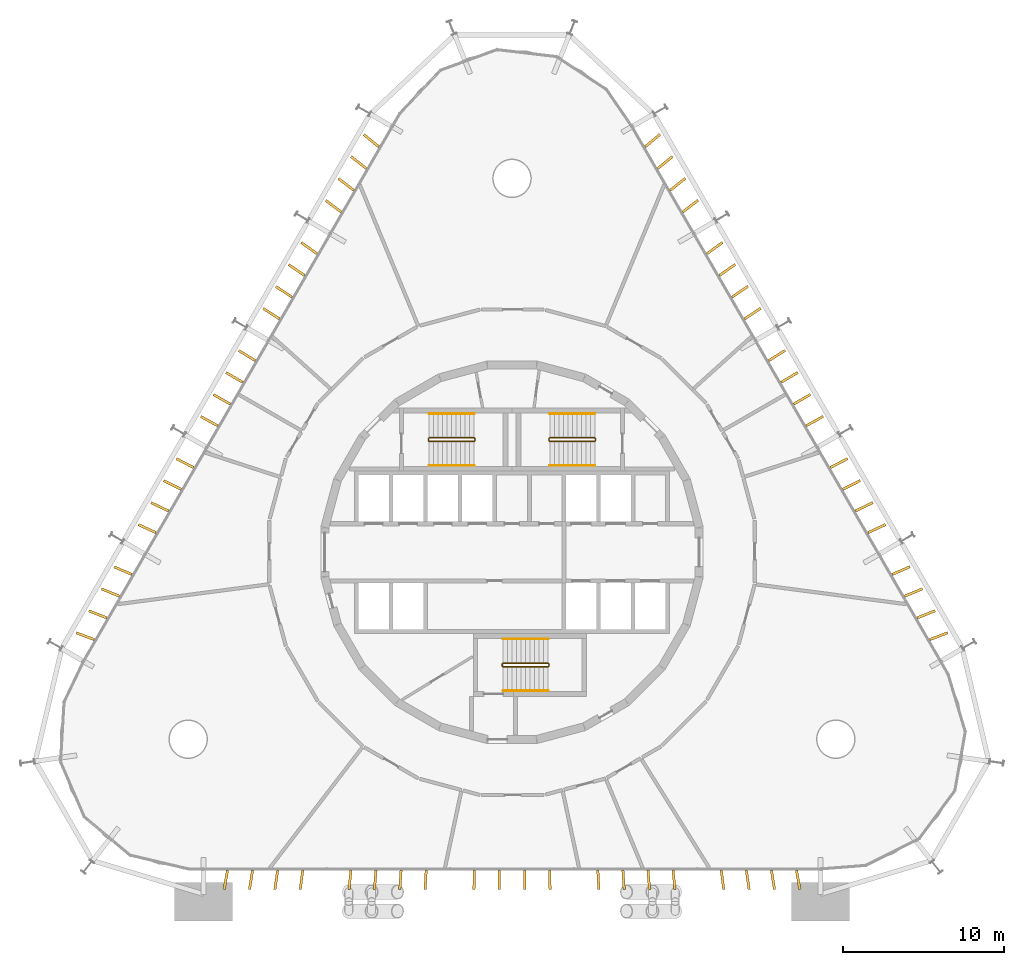
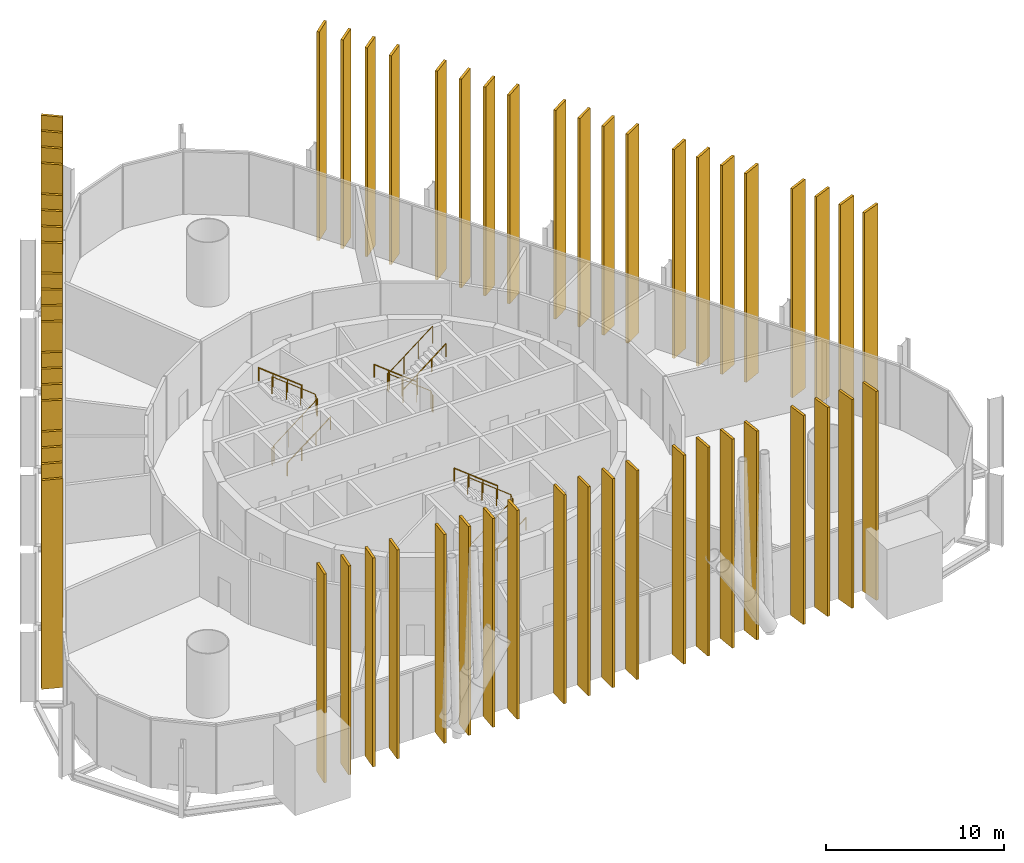
# One storey, part 17 of 17: 60 shading devices, 9 railings.
"""IFC4 building model written with IfcOpenShell, lengths in metres."""

from ifc_helpers import new_model, si_unit, direction, frame, origin, origin_2d, place, context, subcontext, project, spatial, rectangle, circle, extrude, material, layer, layer_set, type_object, element, save


model = new_model("IFC4")

# Units and contexts
model_context = context("Model", 3, precision=1e-05, world=origin(), true_north=direction((0.0, 1.0)))
body_context = subcontext(model_context, "Body", "Model", "MODEL_VIEW")
ifc_project = project(units=[si_unit("LENGTHUNIT", "METRE"), si_unit("AREAUNIT", "SQUARE_METRE"), si_unit("VOLUMEUNIT", "CUBIC_METRE"), si_unit("PLANEANGLEUNIT", "RADIAN"), si_unit("MASSUNIT", "GRAM", prefix="KILO")], contexts=[model_context])

# Site, building, storey
site_placement = place(None, origin())
site = spatial("IfcSite", under=ifc_project, at=site_placement, CompositionType="ELEMENT")
building_placement = place(site_placement, origin())
building = spatial("IfcBuilding", under=site, at=building_placement, Name="Spindle Arch Residences", CompositionType="ELEMENT")
storey_placement = place(building_placement, frame((0.0, 0.0, 18.60009765625)))
storey = spatial("IfcBuildingStorey", under=building, at=storey_placement, Name="L03", CompositionType="ELEMENT", Elevation=18.60009765625)

# Shading devices
ifc_material_1 = material(Name="Bronze anodised aluminium fin", Category="aluminium")
ifc_layer = layer(ifc_material_1, 0.159912109375)
ifc_layer_set = layer_set([ifc_layer], Name="Bronze brise-soleil fin 1200x160")
shading_device_type = type_object("IfcShadingDeviceType", Name="Bronze brise-soleil fin 1200x160", PredefinedType="USERDEFINED", material=ifc_layer_set)
for number, where, z_axis, x_axis, name in (
    (1, (5.371337890625, -20.38916015625, -0.380126953125), (0.0, 0.0, 1.0), (0.052314223859, -0.998630673463, 0.0), "Brise-soleil fin L03 1"),
    (2, (6.940673828125, -20.388427734375, -0.380126953125), (0.0, 0.0, 1.0), (0.067576496162, -0.997714095904, 0.0), "Brise-soleil fin L03 2"),
    (3, (8.509765625, -20.387939453125, -0.380126953125), (0.0, 0.0, 1.0), (0.082822970613, -0.996564275669, 0.0), "Brise-soleil fin L03 3"),
    (4, (10.078857421875, -20.386962890625, -0.380126953125), (0.0, 0.0, 1.0), (0.098050082969, -0.995181481555, 0.0), "Brise-soleil fin L03 4"),
    (5, (13.096435546875, -20.385009765625, -0.380126953125), (0.0, 0.0, 1.0), (0.127265042043, -0.99186874589, 0.0), "Brise-soleil fin L03 5"),
    (6, (14.66552734375, -20.3837890625, -0.380126953125), (0.0, 0.0, 1.0), (0.142415168158, -0.989807011431, 0.0), "Brise-soleil fin L03 6"),
    (7, (16.234619140625, -20.38232421875, -0.380126953125), (0.0, 0.0, 1.0), (0.157532000855, -0.987513882792, 0.0), "Brise-soleil fin L03 7"),
    (8, (17.8037109375, -20.380859375, -0.380126953125), (0.0, 0.0, 1.0), (0.1726120062, -0.984989896048, 0.0), "Brise-soleil fin L03 8"),
    (9, (26.549072265625, -5.2197265625, -0.380126953125), (0.0, 0.0, 1.0), (0.93416472233, 0.356842082096, 0.0), "Brise-soleil fin L03 9"),
    (10, (25.765869140625, -3.8603515625, -0.380126953125), (0.0, 0.0, 1.0), (0.928792020698, 0.370601379232, 0.0), "Brise-soleil fin L03 10"),
    (11, (24.982666015625, -2.501220703125, -0.380126953125), (0.0, 0.0, 1.0), (0.923216671339, 0.38427981701, 0.0), "Brise-soleil fin L03 11"),
    (12, (24.198974609375, -1.14208984375, -0.380126953125), (0.0, 0.0, 1.0), (0.917439890708, 0.397874411011, 0.0), "Brise-soleil fin L03 12"),
    (13, (22.692138671875, 1.471435546875, -0.380126953125), (0.0, 0.0, 1.0), (0.905769399533, 0.423770922634, 0.0), "Brise-soleil fin L03 13"),
    (14, (21.908203125, 2.83056640625, -0.380126953125), (0.0, 0.0, 1.0), (0.899411212724, 0.437103500817, 0.0), "Brise-soleil fin L03 14"),
    (15, (21.124267578125, 4.189453125, -0.380126953125), (0.0, 0.0, 1.0), (0.892856788616, 0.450340709932, 0.0), "Brise-soleil fin L03 15"),
    (16, (20.34033203125, 5.54833984375, -0.380126953125), (0.0, 0.0, 1.0), (0.88610755729, 0.463479661812, 0.0), "Brise-soleil fin L03 16"),
    (17, (18.83203125, 8.16162109375, -0.380126953125), (0.0, 0.0, 1.0), (0.872586393404, 0.488459810063, 0.0), "Brise-soleil fin L03 17"),
    (18, (18.0478515625, 9.520263671875, -0.380126953125), (0.0, 0.0, 1.0), (0.865276329293, 0.501295196431, 0.0), "Brise-soleil fin L03 18"),
    (19, (17.26318359375, 10.87890625, -0.380126953125), (0.0, 0.0, 1.0), (0.857777475585, 0.514021208102, 0.0), "Brise-soleil fin L03 19"),
    (20, (16.478515625, 12.237548828125, -0.380126953125), (0.0, 0.0, 1.0), (0.850091468393, 0.526635068493, 0.0), "Brise-soleil fin L03 20"),
    (21, (14.969482421875, 14.849853515625, -0.380126953125), (0.0, 0.0, 1.0), (0.834791101484, 0.550566814186, 0.0), "Brise-soleil fin L03 21"),
    (22, (14.1845703125, 16.208251953125, -0.380126953125), (0.0, 0.0, 1.0), (0.826567799356, 0.562837163901, 0.0), "Brise-soleil fin L03 22"),
    (23, (13.3994140625, 17.566650390625, -0.380126953125), (0.0, 0.0, 1.0), (0.8181641532, 0.574984711464, 0.0), "Brise-soleil fin L03 23"),
    (24, (12.6142578125, 18.9248046875, -0.380126953125), (0.0, 0.0, 1.0), (0.80958199657, 0.58700680646, 0.0), "Brise-soleil fin L03 24"),
    (25, (11.10400390625, 21.53662109375, -0.380126953125), (0.0, 0.0, 1.0), (0.792583300768, 0.609763652035, 0.0), "Brise-soleil fin L03 25"),
    (26, (10.318603515625, 22.89453125, -0.380126953125), (0.0, 0.0, 1.0), (0.783490227049, 0.621404106938, 0.0), "Brise-soleil fin L03 26"),
    (27, (9.532958984375, 24.25244140625, -0.380126953125), (0.0, 0.0, 1.0), (0.774226208146, 0.632908981308, 0.0), "Brise-soleil fin L03 27"),
    (28, (8.747314453125, 25.6103515625, -0.380126953125), (0.0, 0.0, 1.0), (0.764793265332, 0.644275764951, 0.0), "Brise-soleil fin L03 28"),
    (29, (-8.7529296875, 25.603759765625, -0.380126953125), (0.0, 0.0, 1.0), (-0.773979243078, 0.633210969018, 0.0), "Brise-soleil fin L03 29"),
    (30, (-9.538330078125, 24.24609375, -0.380126953125), (0.0, 0.0, 1.0), (-0.78294632463, 0.622089264293, 0.0), "Brise-soleil fin L03 30"),
    (31, (-10.323486328125, 22.88818359375, -0.380126953125), (0.0, 0.0, 1.0), (-0.791753606157, 0.61084059061, 0.0), "Brise-soleil fin L03 31"),
    (32, (-11.108642578125, 21.5302734375, -0.380126953125), (0.0, 0.0, 1.0), (-0.800399290077, 0.599467243846, 0.0), "Brise-soleil fin L03 32"),
    (33, (-12.618408203125, 18.9189453125, -0.380126953125), (0.0, 0.0, 1.0), (-0.816564708799, 0.577253909769, 0.0), "Brise-soleil fin L03 33"),
    (34, (-13.4033203125, 17.56103515625, -0.380126953125), (0.0, 0.0, 1.0), (-0.82472804065, 0.565529538544, 0.0), "Brise-soleil fin L03 34"),
    (35, (-14.188232421875, 16.202880859375, -0.380126953125), (0.0, 0.0, 1.0), (-0.832723044792, 0.553689742249, 0.0), "Brise-soleil fin L03 35"),
    (36, (-14.972900390625, 14.844482421875, -0.380126953125), (0.0, 0.0, 1.0), (-0.840548089439, 0.541736937397, 0.0), "Brise-soleil fin L03 36"),
    (37, (-16.481689453125, 12.232666015625, -0.380126953125), (0.0, 0.0, 1.0), (-0.85511249527, 0.518442494818, 0.0), "Brise-soleil fin L03 37"),
    (38, (-17.26611328125, 10.874267578125, -0.380126953125), (0.0, 0.0, 1.0), (-0.862431712076, 0.506173430758, 0.0), "Brise-soleil fin L03 38"),
    (39, (-18.05029296875, 9.515625, -0.380126953125), (0.0, 0.0, 1.0), (-0.869574905821, 0.493801056262, 0.0), "Brise-soleil fin L03 39"),
    (40, (-18.83447265625, 8.1572265625, -0.380126953125), (0.0, 0.0, 1.0), (-0.876540618574, 0.481327896543, 0.0), "Brise-soleil fin L03 40"),
    (41, (-20.34228515625, 5.544677734375, -0.380126953125), (0.0, 0.0, 1.0), (-0.889431994706, 0.457067529796, 0.0), "Brise-soleil fin L03 41"),
    (42, (-21.126220703125, 4.18603515625, -0.380126953125), (0.0, 0.0, 1.0), (-0.895870905022, 0.444314439936, 0.0), "Brise-soleil fin L03 42"),
    (43, (-21.909912109375, 2.8271484375, -0.380126953125), (0.0, 0.0, 1.0), (-0.902126967317, 0.431470665097, 0.0), "Brise-soleil fin L03 43"),
    (44, (-22.693603515625, 1.468505859375, -0.380126953125), (0.0, 0.0, 1.0), (-0.908198904716, 0.418538826721, 0.0), "Brise-soleil fin L03 44"),
    (45, (-24.2001953125, -1.144775390625, -0.380126953125), (0.0, 0.0, 1.0), (-0.919353506966, 0.393432496406, 0.0), "Brise-soleil fin L03 45"),
    (46, (-24.983642578125, -2.503662109375, -0.380126953125), (0.0, 0.0, 1.0), (-0.924880272236, 0.380258441101, 0.0), "Brise-soleil fin L03 46"),
    (47, (-25.766845703125, -3.862548828125, -0.380126953125), (0.0, 0.0, 1.0), (-0.930218268634, 0.367006774733, 0.0), "Brise-soleil fin L03 47"),
    (48, (-26.5498046875, -5.2216796875, -0.380126953125), (0.0, 0.0, 1.0), (-0.935366406682, 0.353680201949, 0.0), "Brise-soleil fin L03 48"),
    (49, (-17.8037109375, -20.380859375, -0.380126953125), (0.0, 0.0, 1.0), (-0.172612006286, -0.984989896032, 0.0), "Brise-soleil fin L03 49"),
    (50, (-16.234619140625, -20.38232421875, -0.380126953125), (0.0, 0.0, 1.0), (-0.157532000958, -0.987513882775, 0.0), "Brise-soleil fin L03 50"),
    (51, (-14.66552734375, -20.3837890625, -0.380126953125), (0.0, 0.0, 1.0), (-0.142415168244, -0.989807011419, 0.0), "Brise-soleil fin L03 51"),
    (52, (-13.096435546875, -20.385009765625, -0.380126953125), (0.0, 0.0, 1.0), (-0.127265042147, -0.991868745877, 0.0), "Brise-soleil fin L03 52"),
    (53, (-10.078857421875, -20.386962890625, -0.380126953125), (0.0, 0.0, 1.0), (-0.098050083056, -0.995181481546, 0.0), "Brise-soleil fin L03 53"),
    (54, (-8.509765625, -20.387939453125, -0.380126953125), (0.0, 0.0, 1.0), (-0.082822970717, -0.99656427566, 0.0), "Brise-soleil fin L03 54"),
    (55, (-6.940673828125, -20.388427734375, -0.380126953125), (0.0, 0.0, 1.0), (-0.067576496266, -0.997714095897, 0.0), "Brise-soleil fin L03 55"),
    (56, (-5.371337890625, -20.38916015625, -0.380126953125), (0.0, 0.0, 1.0), (-0.052314223963, -0.998630673458, 0.0), "Brise-soleil fin L03 56"),
    (57, (-2.353759765625, -20.3896484375, -0.380126953125), (0.0, 0.0, 1.0), (-0.022932868023, -0.9997370072, 0.0), "Brise-soleil fin L03 57"),
    (58, (-0.78466796875, -20.389892578125, -0.380126953125), (0.0, 0.0, 1.0), (-0.007644885103, -0.999970777439, 0.0), "Brise-soleil fin L03 58"),
    (59, (0.78466796875, -20.389892578125, -0.380126953125), (0.0, 0.0, 1.0), (0.007644884998, -0.99997077744, 0.0), "Brise-soleil fin L03 59"),
    (60, (2.353759765625, -20.3896484375, -0.380126953125), (0.0, 0.0, 1.0), (0.022932867918, -0.999737007202, 0.0), "Brise-soleil fin L03 60"),
):
    element("IfcShadingDevice", number, at=place(storey_placement, frame(where, z_axis=z_axis, x_axis=x_axis)), inside=storey, type_object=shading_device_type, Name=name, ObjectType="FIN", PredefinedType="USERDEFINED", context=body_context, shape_type="SweptSolid", body=[
        extrude(rectangle(XDim=1.199951171875, YDim=0.159912109375, at=origin_2d()), origin(), (0.0, 0.0, 1.0), 14.330078125),
    ])

# Railings
ifc_material_2 = material(Name="Steel, painted", Category="steel")
railing_type_1 = type_object("IfcRailingType", Name="Stair guard 1100", PredefinedType="GUARDRAIL", material=ifc_material_2)
railing_1_placement = place(storey_placement, frame((5.14990234375, 6.89990234375, 4.7998046875)))
element("IfcRailing", 61, at=railing_1_placement, inside=storey, type_object=railing_type_1, Name="L03 ST1 stair guard 1", PredefinedType="GUARDRAIL", context=body_context, shape_type="SweptSolid", body=[
    extrude(circle(Radius=0.02392578125, at=origin_2d()), frame((0.0, 0.0, 1.17578125), z_axis=(-0.788803754942, 0.0, -0.61464513029), x_axis=(0.0, -1.0, 0.0)), (0.0, 0.0, 1.0), 3.54931640625),
    extrude(circle(Radius=0.02392578125, at=origin_2d()), frame((-2.7998046875, 0.0, -1.005859375), z_axis=(-0.218123866557, 0.218123866557, -0.951232861962), x_axis=(-0.707106781187, -0.707106781187, 0.0)), (0.0, 0.0, 1.0), 0.2294921875),
    extrude(circle(Radius=0.02392578125, at=origin_2d()), frame((-2.849853515625, 0.050048828125, -1.22412109375), z_axis=(0.0, 1.0, 0.0), x_axis=(-1.0, 0.0, 0.0)), (0.0, 0.0, 1.0), 0.1201171875),
    extrude(circle(Radius=0.02392578125, at=origin_2d()), frame((-2.849853515625, 0.170166015625, -1.22412109375), z_axis=(0.707106781187, 0.707106781187, 0.0), x_axis=(-0.707106781187, 0.707106781187, 0.0)), (0.0, 0.0, 1.0), 0.07080078125),
    extrude(circle(Radius=0.02392578125, at=origin_2d()), frame((-2.7998046875, 0.22021484375, -1.22412109375), z_axis=(0.788770406814, 0.0, -0.614687925157), x_axis=(0.0, 1.0, 0.0)), (0.0, 0.0, 1.0), 3.549560546875),
    extrude(circle(Radius=0.02392578125, at=origin_2d()), frame((0.0, 0.22021484375, -3.40576171875), z_axis=(0.218344848091, -0.218344848091, -0.951131460222), x_axis=(0.707106781187, 0.707106781187, 0.0)), (0.0, 0.0, 1.0), 0.229248046875),
    extrude(circle(Radius=0.02392578125, at=origin_2d()), frame((0.050048828125, 0.170166015625, -3.6240234375), z_axis=(0.0, -1.0, 0.0), x_axis=(1.0, 0.0, 0.0)), (0.0, 0.0, 1.0), 0.1201171875),
    extrude(circle(Radius=0.02099609375, at=origin_2d()), origin(), (0.0, 0.0, 1.0), 1.15185546875),
    extrude(circle(Radius=0.02099609375, at=origin_2d()), frame((-0.933349609375, 0.0, -0.727294921875)), (0.0, 0.0, 1.0), 1.15185546875),
    extrude(circle(Radius=0.02099609375, at=origin_2d()), frame((-1.866455078125, 0.0, -1.454345703125)), (0.0, 0.0, 1.0), 1.15185546875),
    extrude(circle(Radius=0.02099609375, at=origin_2d()), frame((-2.7998046875, 0.0, -2.181640625)), (0.0, 0.0, 1.0), 1.15185546875),
    extrude(circle(Radius=0.02099609375, at=origin_2d()), frame((-2.849853515625, 0.050048828125, -2.39990234375)), (0.0, 0.0, 1.0), 1.15185546875),
    extrude(circle(Radius=0.02099609375, at=origin_2d()), frame((-2.849853515625, 0.170166015625, -2.39990234375)), (0.0, 0.0, 1.0), 1.15185546875),
    extrude(circle(Radius=0.02099609375, at=origin_2d()), frame((-2.7998046875, 0.22021484375, -2.39990234375)), (0.0, 0.0, 1.0), 1.15185546875),
    extrude(circle(Radius=0.02099609375, at=origin_2d()), frame((-1.866455078125, 0.22021484375, -3.127197265625)), (0.0, 0.0, 1.0), 1.15185546875),
    extrude(circle(Radius=0.02099609375, at=origin_2d()), frame((-0.933349609375, 0.22021484375, -3.8544921875)), (0.0, 0.0, 1.0), 1.15185546875),
    extrude(circle(Radius=0.02099609375, at=origin_2d()), frame((0.0, 0.22021484375, -4.581787109375)), (0.0, 0.0, 1.0), 1.15185546875),
    extrude(circle(Radius=0.02099609375, at=origin_2d()), frame((0.050048828125, 0.170166015625, -4.7998046875)), (0.0, 0.0, 1.0), 1.15185546875),
    extrude(circle(Radius=0.02099609375, at=origin_2d()), frame((0.050048828125, 0.050048828125, -4.7998046875)), (0.0, 0.0, 1.0), 1.15185546875),
])
railing_2_placement = place(storey_placement, frame((-5.14990234375, 7.1201171875, 4.7998046875)))
element("IfcRailing", 62, at=railing_2_placement, inside=storey, type_object=railing_type_1, Name="L03 ST2 stair guard 1", PredefinedType="GUARDRAIL", context=body_context, shape_type="SweptSolid", body=[
    extrude(circle(Radius=0.02392578125, at=origin_2d()), frame((0.0, 0.0, 1.17578125), z_axis=(0.788803754942, 0.0, -0.61464513029), x_axis=(0.0, 1.0, 0.0)), (0.0, 0.0, 1.0), 3.54931640625),
    extrude(circle(Radius=0.02392578125, at=origin_2d()), frame((2.7998046875, 0.0, -1.005859375), z_axis=(0.218123866557, -0.218123866557, -0.951232861962), x_axis=(0.707106781187, 0.707106781187, 0.0)), (0.0, 0.0, 1.0), 0.2294921875),
    extrude(circle(Radius=0.02392578125, at=origin_2d()), frame((2.849853515625, -0.050048828125, -1.22412109375), z_axis=(0.0, -1.0, 0.0), x_axis=(1.0, 0.0, 0.0)), (0.0, 0.0, 1.0), 0.1201171875),
    extrude(circle(Radius=0.02392578125, at=origin_2d()), frame((2.849853515625, -0.170166015625, -1.22412109375), z_axis=(-0.707106781187, -0.707106781187, 0.0), x_axis=(0.707106781187, -0.707106781187, 0.0)), (0.0, 0.0, 1.0), 0.07080078125),
    extrude(circle(Radius=0.02392578125, at=origin_2d()), frame((2.7998046875, -0.22021484375, -1.22412109375), z_axis=(-0.788770406814, 0.0, -0.614687925157), x_axis=(0.0, -1.0, 0.0)), (0.0, 0.0, 1.0), 3.549560546875),
    extrude(circle(Radius=0.02392578125, at=origin_2d()), frame((0.0, -0.22021484375, -3.40576171875), z_axis=(-0.218344848091, 0.218344848091, -0.951131460222), x_axis=(-0.707106781187, -0.707106781187, 0.0)), (0.0, 0.0, 1.0), 0.229248046875),
    extrude(circle(Radius=0.02392578125, at=origin_2d()), frame((-0.050048828125, -0.170166015625, -3.6240234375), z_axis=(0.0, 1.0, 0.0), x_axis=(-1.0, 0.0, 0.0)), (0.0, 0.0, 1.0), 0.1201171875),
    extrude(circle(Radius=0.02099609375, at=origin_2d()), origin(), (0.0, 0.0, 1.0), 1.15185546875),
    extrude(circle(Radius=0.02099609375, at=origin_2d()), frame((0.933349609375, 0.0, -0.727294921875)), (0.0, 0.0, 1.0), 1.15185546875),
    extrude(circle(Radius=0.02099609375, at=origin_2d()), frame((1.866455078125, 0.0, -1.454345703125)), (0.0, 0.0, 1.0), 1.15185546875),
    extrude(circle(Radius=0.02099609375, at=origin_2d()), frame((2.7998046875, 0.0, -2.181640625)), (0.0, 0.0, 1.0), 1.15185546875),
    extrude(circle(Radius=0.02099609375, at=origin_2d()), frame((2.849853515625, -0.050048828125, -2.39990234375)), (0.0, 0.0, 1.0), 1.15185546875),
    extrude(circle(Radius=0.02099609375, at=origin_2d()), frame((2.849853515625, -0.170166015625, -2.39990234375)), (0.0, 0.0, 1.0), 1.15185546875),
    extrude(circle(Radius=0.02099609375, at=origin_2d()), frame((2.7998046875, -0.22021484375, -2.39990234375)), (0.0, 0.0, 1.0), 1.15185546875),
    extrude(circle(Radius=0.02099609375, at=origin_2d()), frame((1.866455078125, -0.22021484375, -3.127197265625)), (0.0, 0.0, 1.0), 1.15185546875),
    extrude(circle(Radius=0.02099609375, at=origin_2d()), frame((0.933349609375, -0.22021484375, -3.8544921875)), (0.0, 0.0, 1.0), 1.15185546875),
    extrude(circle(Radius=0.02099609375, at=origin_2d()), frame((0.0, -0.22021484375, -4.581787109375)), (0.0, 0.0, 1.0), 1.15185546875),
    extrude(circle(Radius=0.02099609375, at=origin_2d()), frame((-0.050048828125, -0.170166015625, -4.7998046875)), (0.0, 0.0, 1.0), 1.15185546875),
    extrude(circle(Radius=0.02099609375, at=origin_2d()), frame((-0.050048828125, -0.050048828125, -4.7998046875)), (0.0, 0.0, 1.0), 1.15185546875),
])
railing_3_placement = place(storey_placement, frame((-0.550048828125, -6.89990234375, 4.7998046875)))
element("IfcRailing", 63, at=railing_3_placement, inside=storey, type_object=railing_type_1, Name="L03 ST3 stair guard 1", PredefinedType="GUARDRAIL", context=body_context, shape_type="SweptSolid", body=[
    extrude(circle(Radius=0.02392578125, at=origin_2d()), frame((0.0, 0.0, 1.17578125), z_axis=(0.788829738274, 0.0, -0.614611783173), x_axis=(0.0, 1.0, 0.0)), (0.0, 0.0, 1.0), 3.549560546875),
    extrude(circle(Radius=0.02392578125, at=origin_2d()), frame((2.800048828125, 0.0, -1.005859375), z_axis=(0.218123866557, -0.218123866557, -0.951232861962), x_axis=(0.707106781187, 0.707106781187, 0.0)), (0.0, 0.0, 1.0), 0.2294921875),
    extrude(circle(Radius=0.02392578125, at=origin_2d()), frame((2.85009765625, -0.050048828125, -1.22412109375), z_axis=(0.0, -1.0, 0.0), x_axis=(1.0, 0.0, 0.0)), (0.0, 0.0, 1.0), 0.1201171875),
    extrude(circle(Radius=0.02392578125, at=origin_2d()), frame((2.85009765625, -0.170166015625, -1.22412109375), z_axis=(-0.707106781187, -0.707106781187, 0.0), x_axis=(0.707106781187, -0.707106781187, 0.0)), (0.0, 0.0, 1.0), 0.07080078125),
    extrude(circle(Radius=0.02392578125, at=origin_2d()), frame((2.800048828125, -0.22021484375, -1.22412109375), z_axis=(-0.788796392666, 0.0, -0.614654578538), x_axis=(0.0, -1.0, 0.0)), (0.0, 0.0, 1.0), 3.5498046875),
    extrude(circle(Radius=0.02392578125, at=origin_2d()), frame((0.0, -0.22021484375, -3.40576171875), z_axis=(-0.218344848091, 0.218344848091, -0.951131460222), x_axis=(-0.707106781187, -0.707106781187, 0.0)), (0.0, 0.0, 1.0), 0.229248046875),
    extrude(circle(Radius=0.02392578125, at=origin_2d()), frame((-0.050048828125, -0.170166015625, -3.6240234375), z_axis=(0.0, 1.0, 0.0), x_axis=(-1.0, 0.0, 0.0)), (0.0, 0.0, 1.0), 0.1201171875),
    extrude(circle(Radius=0.02099609375, at=origin_2d()), origin(), (0.0, 0.0, 1.0), 1.15185546875),
    extrude(circle(Radius=0.02099609375, at=origin_2d()), frame((0.933349609375, 0.0, -0.727294921875)), (0.0, 0.0, 1.0), 1.15185546875),
    extrude(circle(Radius=0.02099609375, at=origin_2d()), frame((1.86669921875, 0.0, -1.454345703125)), (0.0, 0.0, 1.0), 1.15185546875),
    extrude(circle(Radius=0.02099609375, at=origin_2d()), frame((2.800048828125, 0.0, -2.181640625)), (0.0, 0.0, 1.0), 1.15185546875),
    extrude(circle(Radius=0.02099609375, at=origin_2d()), frame((2.85009765625, -0.050048828125, -2.39990234375)), (0.0, 0.0, 1.0), 1.15185546875),
    extrude(circle(Radius=0.02099609375, at=origin_2d()), frame((2.85009765625, -0.170166015625, -2.39990234375)), (0.0, 0.0, 1.0), 1.15185546875),
    extrude(circle(Radius=0.02099609375, at=origin_2d()), frame((2.800048828125, -0.22021484375, -2.39990234375)), (0.0, 0.0, 1.0), 1.15185546875),
    extrude(circle(Radius=0.02099609375, at=origin_2d()), frame((1.86669921875, -0.22021484375, -3.127197265625)), (0.0, 0.0, 1.0), 1.15185546875),
    extrude(circle(Radius=0.02099609375, at=origin_2d()), frame((0.933349609375, -0.22021484375, -3.8544921875)), (0.0, 0.0, 1.0), 1.15185546875),
    extrude(circle(Radius=0.02099609375, at=origin_2d()), frame((0.0, -0.22021484375, -4.581787109375)), (0.0, 0.0, 1.0), 1.15185546875),
    extrude(circle(Radius=0.02099609375, at=origin_2d()), frame((-0.050048828125, -0.170166015625, -4.7998046875)), (0.0, 0.0, 1.0), 1.15185546875),
    extrude(circle(Radius=0.02099609375, at=origin_2d()), frame((-0.050048828125, -0.050048828125, -4.7998046875)), (0.0, 0.0, 1.0), 1.15185546875),
])
ifc_material_3 = material(Name="Steel, painted", Category="steel")
railing_type_2 = type_object("IfcRailingType", Name="Stair handrail 900", PredefinedType="HANDRAIL", material=ifc_material_3)
railing_4_placement = place(storey_placement, frame((5.14990234375, 8.6201171875, 0.218017578125)))
element("IfcRailing", 64, at=railing_4_placement, inside=storey, type_object=railing_type_2, Name="L03 ST1 stair handrail 1", PredefinedType="HANDRAIL", context=body_context, shape_type="SweptSolid", body=[
    extrude(circle(Radius=0.02392578125, at=origin_2d()), frame((0.0, 0.0, 0.8759765625), z_axis=(-0.788770406814, 0.0, 0.614687925157), x_axis=(0.0, -1.0, 0.0)), (0.0, 0.0, 1.0), 3.549560546875),
    extrude(circle(Radius=0.02099609375, at=origin_2d()), origin(), (0.0, 0.0, 1.0), 0.851806640625),
    extrude(circle(Radius=0.02099609375, at=origin_2d()), frame((-0.933349609375, 0.0, 0.727294921875)), (0.0, 0.0, 1.0), 0.851806640625),
    extrude(circle(Radius=0.02099609375, at=origin_2d()), frame((-1.866455078125, 0.0, 1.45458984375)), (0.0, 0.0, 1.0), 0.851806640625),
    extrude(circle(Radius=0.02099609375, at=origin_2d()), frame((-2.7998046875, 0.0, 2.181884765625)), (0.0, 0.0, 1.0), 0.851806640625),
])
railing_5_placement = place(storey_placement, frame((2.35009765625, 5.39990234375, 2.6181640625)))
element("IfcRailing", 65, at=railing_5_placement, inside=storey, type_object=railing_type_2, Name="L03 ST1 stair handrail 2", PredefinedType="HANDRAIL", context=body_context, shape_type="SweptSolid", body=[
    extrude(circle(Radius=0.02392578125, at=origin_2d()), frame((0.0, 0.0, 0.8759765625), z_axis=(0.788803754942, 0.0, 0.61464513029), x_axis=(0.0, 1.0, 0.0)), (0.0, 0.0, 1.0), 3.54931640625),
    extrude(circle(Radius=0.02099609375, at=origin_2d()), origin(), (0.0, 0.0, 1.0), 0.851806640625),
    extrude(circle(Radius=0.02099609375, at=origin_2d()), frame((0.933349609375, 0.0, 0.727294921875)), (0.0, 0.0, 1.0), 0.851806640625),
    extrude(circle(Radius=0.02099609375, at=origin_2d()), frame((1.866455078125, 0.0, 1.454345703125)), (0.0, 0.0, 1.0), 0.851806640625),
    extrude(circle(Radius=0.02099609375, at=origin_2d()), frame((2.7998046875, 0.0, 2.181640625)), (0.0, 0.0, 1.0), 0.851806640625),
])
railing_6_placement = place(storey_placement, frame((-5.14990234375, 5.39990234375, 0.218017578125)))
element("IfcRailing", 66, at=railing_6_placement, inside=storey, type_object=railing_type_2, Name="L03 ST2 stair handrail 1", PredefinedType="HANDRAIL", context=body_context, shape_type="SweptSolid", body=[
    extrude(circle(Radius=0.02392578125, at=origin_2d()), frame((0.0, 0.0, 0.8759765625), z_axis=(0.788770406814, 0.0, 0.614687925157), x_axis=(0.0, 1.0, 0.0)), (0.0, 0.0, 1.0), 3.549560546875),
    extrude(circle(Radius=0.02099609375, at=origin_2d()), origin(), (0.0, 0.0, 1.0), 0.851806640625),
    extrude(circle(Radius=0.02099609375, at=origin_2d()), frame((0.933349609375, 0.0, 0.727294921875)), (0.0, 0.0, 1.0), 0.851806640625),
    extrude(circle(Radius=0.02099609375, at=origin_2d()), frame((1.866455078125, 0.0, 1.45458984375)), (0.0, 0.0, 1.0), 0.851806640625),
    extrude(circle(Radius=0.02099609375, at=origin_2d()), frame((2.7998046875, 0.0, 2.181884765625)), (0.0, 0.0, 1.0), 0.851806640625),
])
railing_7_placement = place(storey_placement, frame((-2.35009765625, 8.6201171875, 2.6181640625)))
element("IfcRailing", 67, at=railing_7_placement, inside=storey, type_object=railing_type_2, Name="L03 ST2 stair handrail 2", PredefinedType="HANDRAIL", context=body_context, shape_type="SweptSolid", body=[
    extrude(circle(Radius=0.02392578125, at=origin_2d()), frame((0.0, 0.0, 0.8759765625), z_axis=(-0.788803754942, 0.0, 0.61464513029), x_axis=(0.0, -1.0, 0.0)), (0.0, 0.0, 1.0), 3.54931640625),
    extrude(circle(Radius=0.02099609375, at=origin_2d()), origin(), (0.0, 0.0, 1.0), 0.851806640625),
    extrude(circle(Radius=0.02099609375, at=origin_2d()), frame((-0.933349609375, 0.0, 0.727294921875)), (0.0, 0.0, 1.0), 0.851806640625),
    extrude(circle(Radius=0.02099609375, at=origin_2d()), frame((-1.866455078125, 0.0, 1.454345703125)), (0.0, 0.0, 1.0), 0.851806640625),
    extrude(circle(Radius=0.02099609375, at=origin_2d()), frame((-2.7998046875, 0.0, 2.181640625)), (0.0, 0.0, 1.0), 0.851806640625),
])
railing_8_placement = place(storey_placement, frame((-0.550048828125, -8.6201171875, 0.218017578125)))
element("IfcRailing", 68, at=railing_8_placement, inside=storey, type_object=railing_type_2, Name="L03 ST3 stair handrail 1", PredefinedType="HANDRAIL", context=body_context, shape_type="SweptSolid", body=[
    extrude(circle(Radius=0.02392578125, at=origin_2d()), frame((0.0, 0.0, 0.8759765625), z_axis=(0.788796392666, 0.0, 0.614654578538), x_axis=(0.0, 1.0, 0.0)), (0.0, 0.0, 1.0), 3.5498046875),
    extrude(circle(Radius=0.02099609375, at=origin_2d()), origin(), (0.0, 0.0, 1.0), 0.851806640625),
    extrude(circle(Radius=0.02099609375, at=origin_2d()), frame((0.933349609375, 0.0, 0.727294921875)), (0.0, 0.0, 1.0), 0.851806640625),
    extrude(circle(Radius=0.02099609375, at=origin_2d()), frame((1.86669921875, 0.0, 1.45458984375)), (0.0, 0.0, 1.0), 0.851806640625),
    extrude(circle(Radius=0.02099609375, at=origin_2d()), frame((2.800048828125, 0.0, 2.181884765625)), (0.0, 0.0, 1.0), 0.851806640625),
])
railing_9_placement = place(storey_placement, frame((2.25, -5.39990234375, 2.6181640625)))
element("IfcRailing", 69, at=railing_9_placement, inside=storey, type_object=railing_type_2, Name="L03 ST3 stair handrail 2", PredefinedType="HANDRAIL", context=body_context, shape_type="SweptSolid", body=[
    extrude(circle(Radius=0.02392578125, at=origin_2d()), frame((0.0, 0.0, 0.8759765625), z_axis=(-0.788829738274, 0.0, 0.614611783173), x_axis=(0.0, -1.0, 0.0)), (0.0, 0.0, 1.0), 3.549560546875),
    extrude(circle(Radius=0.02099609375, at=origin_2d()), origin(), (0.0, 0.0, 1.0), 0.851806640625),
    extrude(circle(Radius=0.02099609375, at=origin_2d()), frame((-0.933349609375, 0.0, 0.727294921875)), (0.0, 0.0, 1.0), 0.851806640625),
    extrude(circle(Radius=0.02099609375, at=origin_2d()), frame((-1.86669921875, 0.0, 1.454345703125)), (0.0, 0.0, 1.0), 0.851806640625),
    extrude(circle(Radius=0.02099609375, at=origin_2d()), frame((-2.800048828125, 0.0, 2.181640625)), (0.0, 0.0, 1.0), 0.851806640625),
])

save(model, "model.ifc")
